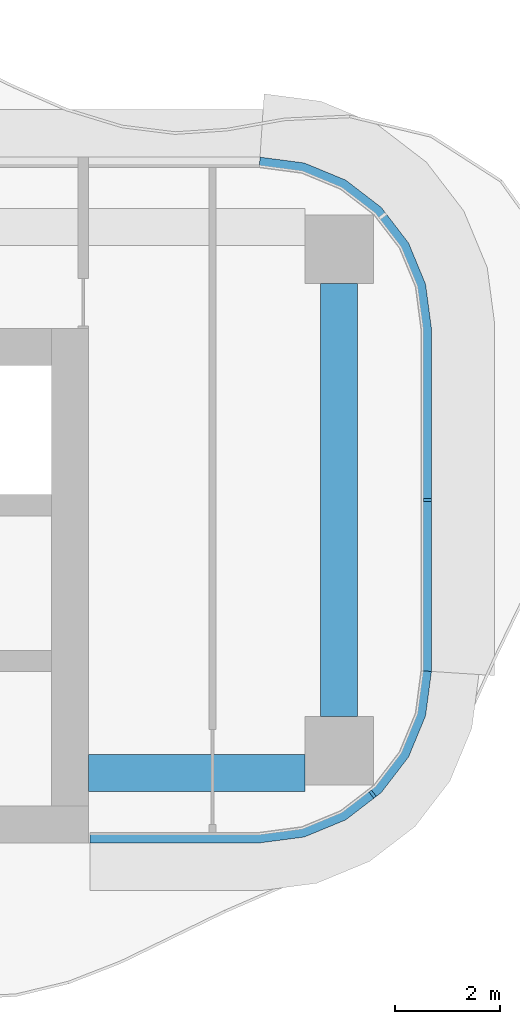
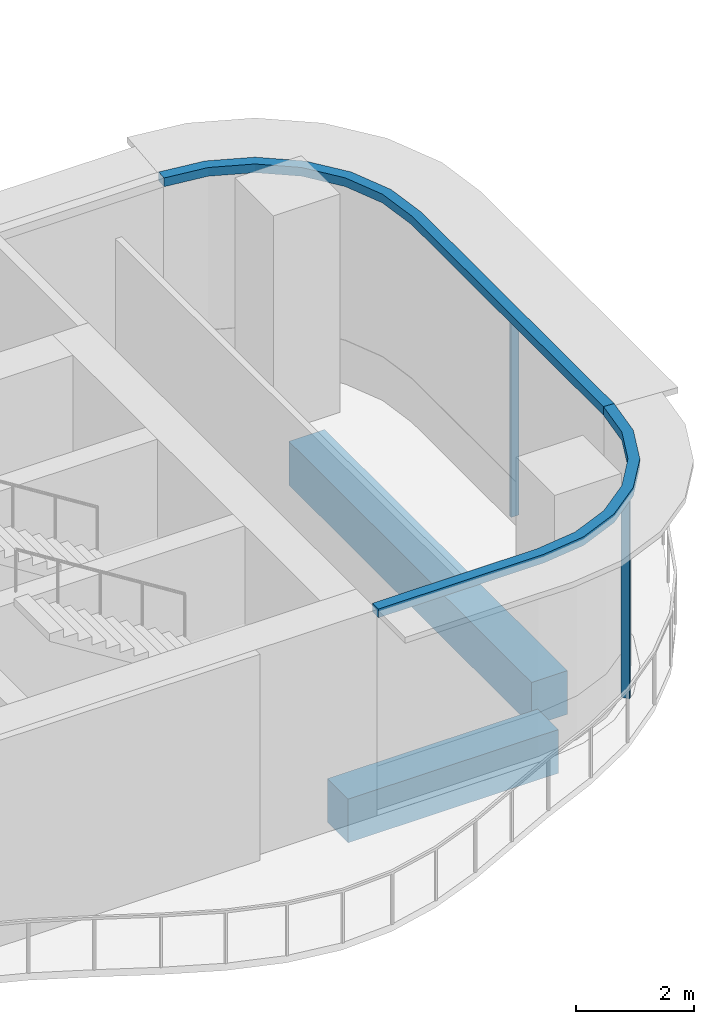
# One storey, part 7 of 23: 4 members, 2 beams, 2 elements without a shape of their own.
"""IFC4 building model written with IfcOpenShell, lengths in metres."""

from ifc_helpers import new_model, si_unit, direction, frame, origin, origin_2d, place, context, subcontext, project, spatial, polyline, rectangle, outline, extrude, source, transform, mapped, material, layer, layer_set, material_profile, profile_set, type_object, element, aggregate, save


model = new_model("IFC4")

# Units and contexts
model_context = context("Model", 3, precision=1e-05, world=origin(), true_north=direction((0.0, 1.0)))
body_context = subcontext(model_context, "Body", "Model", "MODEL_VIEW")
ifc_project = project(units=[si_unit("LENGTHUNIT", "METRE"), si_unit("AREAUNIT", "SQUARE_METRE"), si_unit("VOLUMEUNIT", "CUBIC_METRE"), si_unit("PLANEANGLEUNIT", "RADIAN"), si_unit("MASSUNIT", "GRAM", prefix="KILO")], contexts=[model_context])

# Site, building, storey
site_placement = place(None, origin())
site = spatial("IfcSite", under=ifc_project, at=site_placement, CompositionType="ELEMENT")
building_placement = place(site_placement, origin())
building = spatial("IfcBuilding", under=site, at=building_placement, Name="Trellis Farm Tower", CompositionType="ELEMENT")
storey_placement = place(building_placement, frame((0.0, 0.0, 111.0)))
storey = spatial("IfcBuildingStorey", under=building, at=storey_placement, Name="L23", CompositionType="ELEMENT", Elevation=111.0)

# Beams
ifc_material_1 = material(Name="Concrete C60/75", Category="concrete")
ifc_material_profile_1 = material_profile(ifc_material_1, rectangle(XDim=0.699951171875, YDim=0.89990234375, at=origin_2d()), Name="RC spandrel beam 700x900 C60/75")
ifc_profile_set_1 = profile_set([ifc_material_profile_1], Name="Concrete C60/75")
beam_type = type_object("IfcBeamType", Name="RC spandrel beam 700x900 C60/75", PredefinedType="SPANDREL", material=ifc_profile_set_1)
shared_shape_1 = source(origin(), body_context, "Body", "SweptSolid", [
    extrude(rectangle(XDim=0.699951171875, YDim=0.89990234375, at=origin_2d()), origin(), (0.0, 0.0, 1.0), 8.2001953125),
])
beam_1_placement = place(storey_placement, frame((27.5, -4.10009765625, -0.699951171875), z_axis=(0.0, 1.0, 0.0), x_axis=(-1.0, 0.0, 0.0)))
element("IfcBeam", 1, at=beam_1_placement, inside=storey, type_object=beam_type, Name="Girder", PredefinedType="SPANDREL", context=body_context, shape_type="MappedRepresentation", body=[
    mapped(shared_shape_1, transform((0.0, 0.0, 0.0))),
])
shared_shape_2 = source(origin(), body_context, "Body", "SweptSolid", [
    extrude(rectangle(XDim=0.699951171875, YDim=0.89990234375, at=origin_2d()), origin(), (0.0, 0.0, 1.0), 4.10009765625),
])
beam_2_placement = place(storey_placement, frame((22.75, -5.175048828125, -0.699951171875), z_axis=(1.0, 0.0, 0.0), x_axis=(0.0, 1.0, 0.0)))
element("IfcBeam", 2, at=beam_2_placement, inside=storey, type_object=beam_type, Name="Girder", PredefinedType="SPANDREL", context=body_context, shape_type="MappedRepresentation", body=[
    mapped(shared_shape_2, transform((0.0, 0.0, 0.0))),
])

# Curtain wall, member
ifc_material_2 = material(Name="Aluminium and glass curtain wall", Category="aluminium")
ifc_layer_1 = layer(ifc_material_2, 0.18994140625)
ifc_layer_set_1 = layer_set([ifc_layer_1], Name="RIBBON CURTAIN WALL CW1")
curtain_wall_type = type_object("IfcCurtainWallType", Name="RIBBON CURTAIN WALL CW1", PredefinedType="NOTDEFINED", material=ifc_layer_set_1)
placement_1 = place(storey_placement, origin())
curtain_wall_1 = element("IfcCurtainWall", 3, at=placement_1, inside=storey, type_object=curtain_wall_type, Name="CW1 006", PredefinedType="NOTDEFINED")
ifc_material_3 = material(Name="Aluminium extrusion 6063-T6", Category="aluminium")
ifc_material_profile_2 = material_profile(ifc_material_3, rectangle(XDim=0.06005859375, YDim=0.14990234375, at=origin_2d()), Name="MULLION 60x150")
ifc_profile_set_2 = profile_set([ifc_material_profile_2], Name="Aluminium extrusion 6063-T6")
member_type_1 = type_object("IfcMemberType", Name="CW1 MULLION 60x150", PredefinedType="MULLION", material=ifc_profile_set_2)
shared_shape_3 = source(origin(), body_context, "Body", "SweptSolid", [
    extrude(rectangle(XDim=0.06005859375, YDim=0.14990234375, at=origin_2d()), origin(), (0.0, 0.0, 1.0), 4.070068359375),
])
member_1_placement = place(storey_placement, frame((28.135498046875, -5.578369140625, 0.0), z_axis=(0.0, 0.0, 1.0), x_axis=(0.793353340291, 0.608761429009, 0.0)))
member_1 = element("IfcMember", 4, at=member_1_placement, type_object=member_type_1, Name="MU1 006-01", PredefinedType="MULLION", context=body_context, shape_type="MappedRepresentation", body=[
    mapped(shared_shape_3, transform((0.0, 0.0, 0.0))),
])

curtain_wall_2 = element("IfcCurtainWall", 5, at=placement_1, inside=storey, type_object=curtain_wall_type, Name="CW1 007", PredefinedType="NOTDEFINED")
member_2_placement = place(storey_placement, frame((29.175048828125, 0.0, 0.0), z_axis=(0.0, 0.0, 1.0), x_axis=(0.0, 1.0, 0.0)))
member_2 = element("IfcMember", 6, at=member_2_placement, type_object=member_type_1, Name="MU1 007-01", PredefinedType="MULLION", context=body_context, shape_type="MappedRepresentation", body=[
    mapped(shared_shape_3, transform((0.0, 0.0, 0.0))),
])

# Member
ifc_layer_2 = layer(ifc_material_3, 0.199951171875)
ifc_layer_set_2 = layer_set([ifc_layer_2], Name="Aluminium extrusion 6063-T6")
member_type_2 = type_object("IfcMemberType", Name="CW1 TRANSOM 200x180", PredefinedType="USERDEFINED", material=ifc_layer_set_2)
shared_shape_4 = source(origin(), body_context, "Body", "SweptSolid", [
    extrude(outline(polyline([(22.780029296875, -6.5), (26.0, -6.5), (26.841064453125, -6.38916015625), (27.625, -6.064697265625), (28.298095703125, -5.548095703125), (28.814697265625, -4.875), (29.13916015625, -4.091064453125), (29.25, -3.25), (29.050048828125, -3.23681640625), (28.9443359375, -4.0390625), (28.639892578125, -4.774169921875), (28.155517578125, -5.405517578125), (27.524169921875, -5.889892578125), (26.7890625, -6.1943359375), (25.98681640625, -6.300048828125), (22.780029296875, -6.300048828125), (22.780029296875, -6.5)])), origin(), (0.0, 0.0, 1.0), 0.179931640625),
])
placement_2 = place(storey_placement, frame((0.0, 0.0, 4.070068359375)))
member_3 = element("IfcMember", 7, at=placement_2, type_object=member_type_2, Name="TR1 006", ObjectType="TRANSOM", PredefinedType="USERDEFINED", context=body_context, shape_type="MappedRepresentation", body=[
    mapped(shared_shape_4, transform((0.0, 0.0, 0.0))),
])

aggregate(curtain_wall_1, [member_1, member_3])

shared_shape_5 = source(origin(), body_context, "Body", "SweptSolid", [
    extrude(outline(polyline([(29.25, -3.25), (29.25, 3.25), (29.13916015625, 4.091064453125), (28.814697265625, 4.875), (28.298095703125, 5.548095703125), (27.625, 6.064697265625), (26.841064453125, 6.38916015625), (26.0, 6.5), (25.98681640625, 6.300048828125), (26.7890625, 6.1943359375), (27.524169921875, 5.889892578125), (28.155517578125, 5.405517578125), (28.639892578125, 4.774169921875), (28.9443359375, 4.0390625), (29.050048828125, 3.23681640625), (29.050048828125, -3.23681640625), (29.25, -3.25)])), origin(), (0.0, 0.0, 1.0), 0.179931640625),
])
member_4 = element("IfcMember", 8, at=placement_2, type_object=member_type_2, Name="TR1 007", ObjectType="TRANSOM", PredefinedType="USERDEFINED", context=body_context, shape_type="MappedRepresentation", body=[
    mapped(shared_shape_5, transform((0.0, 0.0, 0.0))),
])

aggregate(curtain_wall_2, [member_2, member_4])

save(model, "model.ifc")
